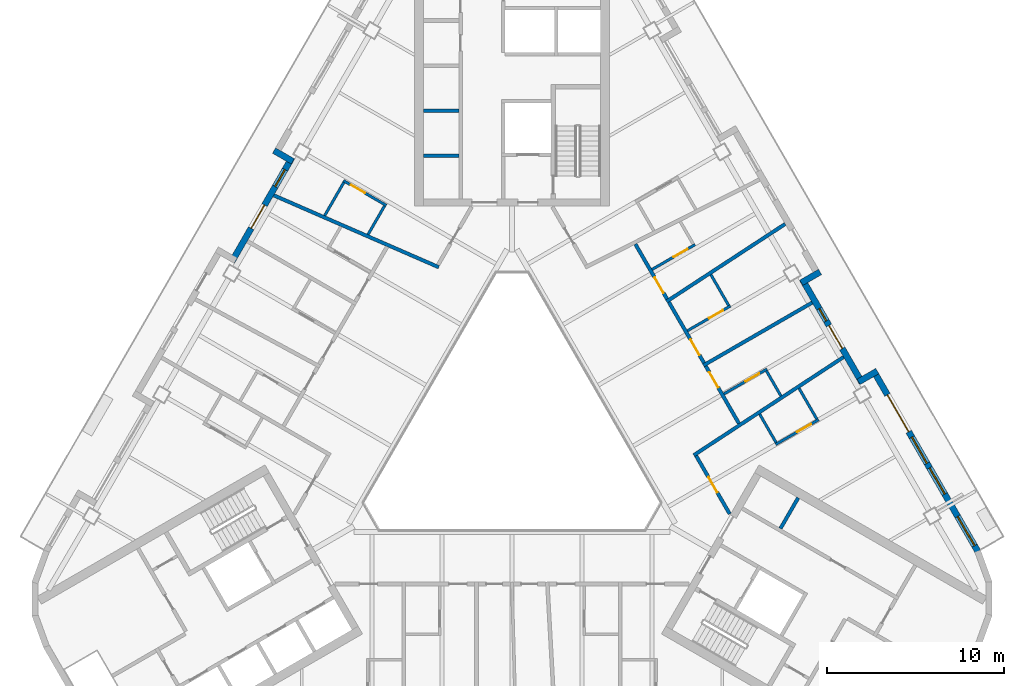
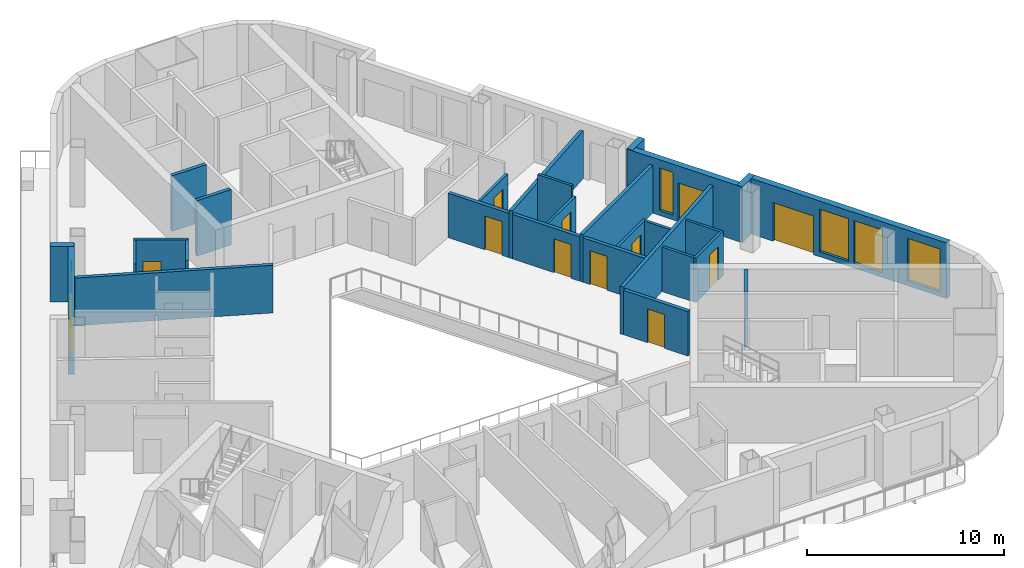
# One storey, part 6 of 14: 28 walls, 12 doors, 5 windows, 17 openings.
"""IFC4 building model written with IfcOpenShell, lengths in metres."""

from ifc_helpers import new_model, si_unit, direction, frame, frame_2d, origin, place, context, subcontext, project, spatial, rectangle, extrude, material, layer, layer_set, type_object, element, fill, save


model = new_model("IFC4")

# Units and contexts
model_context = context("Model", 3, precision=1e-05, world=origin(), true_north=direction((0.0, 1.0)))
body_context = subcontext(model_context, "Body", "Model", "MODEL_VIEW")
ifc_project = project(units=[si_unit("LENGTHUNIT", "METRE"), si_unit("AREAUNIT", "SQUARE_METRE"), si_unit("VOLUMEUNIT", "CUBIC_METRE"), si_unit("PLANEANGLEUNIT", "RADIAN"), si_unit("MASSUNIT", "GRAM", prefix="KILO")], contexts=[model_context])

# Site, building, storey
site_placement = place(None, origin())
site = spatial("IfcSite", under=ifc_project, at=site_placement, CompositionType="ELEMENT")
building_placement = place(site_placement, origin())
building = spatial("IfcBuilding", under=site, at=building_placement, Name="Apuvela Tower Hotel", CompositionType="ELEMENT")
storey_placement = place(building_placement, frame((0.0, 0.0, 228.0)))
storey = spatial("IfcBuildingStorey", under=building, at=storey_placement, Name="L56", CompositionType="ELEMENT", Elevation=228.0)

# Walls
ifc_material_1 = material(Name="Concrete C50/60", Category="concrete")
ifc_layer_1 = layer(ifc_material_1, 0.199951171875)
ifc_layer_set_1 = layer_set([ifc_layer_1], Name="COR-WALL-SHAFT-200")
wall_type_1 = type_object("IfcWallType", Name="COR-WALL-SHAFT-200", PredefinedType="SHEAR", material=ifc_layer_set_1)
for number, where, z_axis, x_axis, name in (
    (1, (-3.0, 15.739990234375, 0.0), (0.0, 0.0, 1.0), (-1.0, 0.0, 0.0), "Shaft wall N"),
    (2, (-3.0, 18.280029296875, 0.0), (0.0, 0.0, 1.0), (-1.0, 0.0, 0.0), "Shaft wall N"),
    (3, (15.131103515625, -5.27197265625, 0.0), (0.0, 0.0, 1.0), (0.499972520799, 0.866041268327, 0.0), "Shaft wall SE"),
):
    element("IfcWall", number, at=place(storey_placement, frame(where, z_axis=z_axis, x_axis=x_axis)), inside=storey, type_object=wall_type_1, Name=name, PredefinedType="SHEAR", context=body_context, shape_type="SweptSolid", body=[
        extrude(rectangle(XDim=2.0, YDim=0.199951171875, at=frame_2d((1.0, 0.0))), origin(), (0.0, 0.0, 1.0), 3.449951171875),
    ])
ifc_material_2 = material(Name="Concrete C40/50, dark pigmented precast panel", Category="concrete")
ifc_layer_2 = layer(ifc_material_2, 0.35009765625)
ifc_layer_set_2 = layer_set([ifc_layer_2], Name="ENV-WALL-350")
wall_type_2 = type_object("IfcWallType", Name="ENV-WALL-350", PredefinedType="SOLIDWALL", material=ifc_layer_set_2)
wall_1_placement = place(storey_placement, frame((-13.41259765625, 16.02880859375, 0.0), z_axis=(0.0, 0.0, 1.0), x_axis=(0.866005645448, -0.500034220881, 0.0)))
element("IfcWall", 4, at=wall_1_placement, inside=storey, type_object=wall_type_2, Name="External wall L56-02", PredefinedType="SOLIDWALL", context=body_context, shape_type="SweptSolid", body=[
    extrude(rectangle(XDim=1.22021484375, YDim=0.35009765625, at=frame_2d((0.610107421875, 0.0))), origin(), (0.0, 0.0, 1.0), 3.449951171875),
])

# Wall, openings, door, window
wall_2_placement = place(storey_placement, frame((-12.408935546875, 15.616943359375, 0.0), z_axis=(0.0, 0.0, 1.0), x_axis=(-0.500003597184, -0.866023326939, 0.0)))
wall_2 = element("IfcWall", 5, at=wall_2_placement, inside=storey, type_object=wall_type_2, Name="External wall L56-03", PredefinedType="SOLIDWALL", context=body_context, shape_type="SweptSolid", body=[
    extrude(rectangle(XDim=6.740234375, YDim=0.35009765625, at=frame_2d((3.3701171875, 0.0))), origin(), (0.0, 0.0, 1.0), 3.449951171875),
])
opening_1_placement = place(wall_2_placement, frame((0.77001953125, 0.0, 0.300048828125)))
opening_1 = element("IfcOpeningElement", 6, at=opening_1_placement, cuts=wall_2, Name="Opening WN11", PredefinedType="OPENING", context=body_context, shape_type="SweptSolid", body=[
    extrude(rectangle(XDim=1.10009765625, YDim=2.64990234375, at=frame_2d((0.550048828125, 1.324951171875))), frame((0.0, 0.18505859375, 0.0), z_axis=(0.0, -1.0, 0.0), x_axis=(1.0, 0.0, 0.0)), (0.0, 0.0, 1.0), 0.3701171875),
])
opening_2_placement = place(wall_2_placement, frame((3.07861328125, 0.0, 0.0)))
opening_2 = element("IfcOpeningElement", 7, at=opening_2_placement, cuts=wall_2, Name="Opening BD15", PredefinedType="OPENING", context=body_context, shape_type="SweptSolid", body=[
    extrude(rectangle(XDim=1.5, YDim=2.39990234375, at=frame_2d((0.75, 1.199951171875))), frame((0.0, 0.18505859375, 0.0), z_axis=(0.0, -1.0, 0.0), x_axis=(1.0, 0.0, 0.0)), (0.0, 0.0, 1.0), 0.3701171875),
])
ifc_material_3 = material(Name="Aluminium 6063-T6, dark bronze anodised frame with dark tinted laminated glass", Category="aluminium")
door_type_1 = type_object("IfcDoorType", Name="ENV-DOOR-BALCONY-1500x2400", OperationType="SLIDING_TO_LEFT", PredefinedType="DOOR", material=ifc_material_3)
door_1_placement = place(opening_2_placement, frame((1.5, 0.0, 0.0), z_axis=(0.0, 0.0, 1.0), x_axis=(-1.0, 0.0, 0.0)))
door_1 = element("IfcDoor", 8, at=door_1_placement, inside=storey, type_object=door_type_1, Name="Balcony door BD15", OperationType="SLIDING_TO_LEFT", OverallHeight=2.39990234375, OverallWidth=1.5, PredefinedType="DOOR", context=body_context, shape_type="SweptSolid", body=[
    extrude(rectangle(XDim=1.5, YDim=2.39990234375, at=frame_2d((0.75, 1.199951171875))), frame((0.0, 0.02490234375, 0.0), z_axis=(0.0, -1.0, 0.0), x_axis=(1.0, 0.0, 0.0)), (0.0, 0.0, 1.0), 0.050048828125),
])
fill(opening_2, door_1)
ifc_material_4 = material(Name="Glass, dark tinted laminated insulated glazing unit", Category="glass")
window_type_1 = type_object("IfcWindowType", Name="ENV-WIN-1100x2650", PartitioningType="SINGLE_PANEL", PredefinedType="WINDOW", material=ifc_material_4)
window_1_placement = place(opening_1_placement, origin())
window_1 = element("IfcWindow", 9, at=window_1_placement, inside=storey, type_object=window_type_1, Name="Window WN11", OverallHeight=2.64990234375, OverallWidth=1.10009765625, PartitioningType="SINGLE_PANEL", PredefinedType="WINDOW", context=body_context, shape_type="SweptSolid", body=[
    extrude(rectangle(XDim=1.10009765625, YDim=2.64990234375, at=frame_2d((0.550048828125, 1.324951171875))), frame((0.0, 0.030029296875, 0.0), z_axis=(0.0, -1.0, 0.0), x_axis=(1.0, 0.0, 0.0)), (0.0, 0.0, 1.0), 0.06005859375),
])
fill(opening_1, window_1)

# Wall, openings, door, windows
wall_3_placement = place(storey_placement, frame((26.256591796875, -6.5673828125, 0.0), z_axis=(0.0, 0.0, 1.0), x_axis=(-0.500023526245, 0.866011820475, 0.0)))
wall_3 = element("IfcWall", 10, at=wall_3_placement, inside=storey, type_object=wall_type_2, Name="External wall L56-33", PredefinedType="SOLIDWALL", context=body_context, shape_type="SweptSolid", body=[
    extrude(rectangle(XDim=11.81591796875, YDim=0.35009765625, at=frame_2d((5.907958984375, 0.0))), origin(), (0.0, 0.0, 1.0), 3.449951171875),
])
opening_3_placement = place(wall_3_placement, frame((0.380126953125, 0.0, 0.300048828125)))
opening_3 = element("IfcOpeningElement", 11, at=opening_3_placement, cuts=wall_3, Name="Opening WN19", PredefinedType="OPENING", context=body_context, shape_type="SweptSolid", body=[
    extrude(rectangle(XDim=1.89990234375, YDim=2.64990234375, at=frame_2d((0.949951171875, 1.324951171875))), frame((0.0, 0.18505859375, 0.0), z_axis=(0.0, -1.0, 0.0), x_axis=(1.0, 0.0, 0.0)), (0.0, 0.0, 1.0), 0.3701171875),
])
opening_4_placement = place(wall_3_placement, frame((7.791015625, 0.0, 0.0)))
opening_4 = element("IfcOpeningElement", 12, at=opening_4_placement, cuts=wall_3, Name="Opening BD24", PredefinedType="OPENING", context=body_context, shape_type="SweptSolid", body=[
    extrude(rectangle(XDim=2.39990234375, YDim=2.39990234375, at=frame_2d((1.199951171875, 1.199951171875))), frame((0.0, 0.18505859375, 0.0), z_axis=(0.0, -1.0, 0.0), x_axis=(1.0, 0.0, 0.0)), (0.0, 0.0, 1.0), 0.3701171875),
])
opening_5_placement = place(wall_3_placement, frame((3.74072265625, 0.0, 0.300048828125)))
opening_5 = element("IfcOpeningElement", 13, at=opening_5_placement, cuts=wall_3, Name="Opening WN17", PredefinedType="OPENING", context=body_context, shape_type="SweptSolid", body=[
    extrude(rectangle(XDim=1.699951171875, YDim=2.64990234375, at=frame_2d((0.85009765625, 1.324951171875))), frame((0.0, 0.18505859375, 0.0), z_axis=(0.0, -1.0, 0.0), x_axis=(1.0, 0.0, 0.0)), (0.0, 0.0, 1.0), 0.3701171875),
])
opening_6_placement = place(wall_3_placement, frame((5.74072265625, 0.0, 0.300048828125)))
opening_6 = element("IfcOpeningElement", 14, at=opening_6_placement, cuts=wall_3, Name="Opening WN17", PredefinedType="OPENING", context=body_context, shape_type="SweptSolid", body=[
    extrude(rectangle(XDim=1.699951171875, YDim=2.64990234375, at=frame_2d((0.85009765625, 1.324951171875))), frame((0.0, 0.18505859375, 0.0), z_axis=(0.0, -1.0, 0.0), x_axis=(1.0, 0.0, 0.0)), (0.0, 0.0, 1.0), 0.3701171875),
])
door_type_2 = type_object("IfcDoorType", Name="ENV-DOOR-BALCONY-2400x2400", OperationType="SLIDING_TO_LEFT", PredefinedType="DOOR", material=ifc_material_3)
door_2_placement = place(opening_4_placement, frame((2.39990234375, 0.0, 0.0), z_axis=(0.0, 0.0, 1.0), x_axis=(-1.0, 0.0, 0.0)))
door_2 = element("IfcDoor", 15, at=door_2_placement, inside=storey, type_object=door_type_2, Name="Balcony door BD24", OperationType="SLIDING_TO_LEFT", OverallHeight=2.39990234375, OverallWidth=2.39990234375, PredefinedType="DOOR", context=body_context, shape_type="SweptSolid", body=[
    extrude(rectangle(XDim=2.39990234375, YDim=2.39990234375, at=frame_2d((1.199951171875, 1.199951171875))), frame((0.0, 0.02490234375, 0.0), z_axis=(0.0, -1.0, 0.0), x_axis=(1.0, 0.0, 0.0)), (0.0, 0.0, 1.0), 0.050048828125),
])
fill(opening_4, door_2)
window_type_2 = type_object("IfcWindowType", Name="ENV-WIN-1700x2650", PartitioningType="SINGLE_PANEL", PredefinedType="WINDOW", material=ifc_material_4)
window_2_placement = place(opening_5_placement, origin())
window_2 = element("IfcWindow", 16, at=window_2_placement, inside=storey, type_object=window_type_2, Name="Window WN17", OverallHeight=2.64990234375, OverallWidth=1.699951171875, PartitioningType="SINGLE_PANEL", PredefinedType="WINDOW", context=body_context, shape_type="SweptSolid", body=[
    extrude(rectangle(XDim=1.699951171875, YDim=2.64990234375, at=frame_2d((0.85009765625, 1.324951171875))), frame((0.0, 0.030029296875, 0.0), z_axis=(0.0, -1.0, 0.0), x_axis=(1.0, 0.0, 0.0)), (0.0, 0.0, 1.0), 0.06005859375),
])
fill(opening_5, window_2)
window_3_placement = place(opening_6_placement, origin())
window_3 = element("IfcWindow", 17, at=window_3_placement, inside=storey, type_object=window_type_2, Name="Window WN17", OverallHeight=2.64990234375, OverallWidth=1.699951171875, PartitioningType="SINGLE_PANEL", PredefinedType="WINDOW", context=body_context, shape_type="SweptSolid", body=[
    extrude(rectangle(XDim=1.699951171875, YDim=2.64990234375, at=frame_2d((0.85009765625, 1.324951171875))), frame((0.0, 0.030029296875, 0.0), z_axis=(0.0, -1.0, 0.0), x_axis=(1.0, 0.0, 0.0)), (0.0, 0.0, 1.0), 0.06005859375),
])
fill(opening_6, window_3)
window_type_3 = type_object("IfcWindowType", Name="ENV-WIN-1900x2650", PartitioningType="SINGLE_PANEL", PredefinedType="WINDOW", material=ifc_material_4)
window_4_placement = place(opening_3_placement, origin())
window_4 = element("IfcWindow", 18, at=window_4_placement, inside=storey, type_object=window_type_3, Name="Window WN19", OverallHeight=2.64990234375, OverallWidth=1.89990234375, PartitioningType="SINGLE_PANEL", PredefinedType="WINDOW", context=body_context, shape_type="SweptSolid", body=[
    extrude(rectangle(XDim=1.89990234375, YDim=2.64990234375, at=frame_2d((0.949951171875, 1.324951171875))), frame((0.0, 0.030029296875, 0.0), z_axis=(0.0, -1.0, 0.0), x_axis=(1.0, 0.0, 0.0)), (0.0, 0.0, 1.0), 0.06005859375),
])
fill(opening_3, window_4)

# Wall
wall_4_placement = place(storey_placement, frame((20.587646484375, 3.601318359375, 0.0), z_axis=(0.0, 0.0, 1.0), x_axis=(-0.866005645448, -0.500034220881, 0.0)))
element("IfcWall", 19, at=wall_4_placement, inside=storey, type_object=wall_type_2, Name="External wall L56-34", PredefinedType="SOLIDWALL", context=body_context, shape_type="SweptSolid", body=[
    extrude(rectangle(XDim=1.22021484375, YDim=0.35009765625, at=frame_2d((0.610107421875, 0.0))), origin(), (0.0, 0.0, 1.0), 3.449951171875),
])

# Wall, openings, door, window
wall_5_placement = place(storey_placement, frame((19.72900390625, 2.93798828125, 0.0), z_axis=(0.0, 0.0, 1.0), x_axis=(-0.499976430342, 0.866039011305, 0.0)))
wall_5 = element("IfcWall", 20, at=wall_5_placement, inside=storey, type_object=wall_type_2, Name="External wall L56-35", PredefinedType="SOLIDWALL", context=body_context, shape_type="SweptSolid", body=[
    extrude(rectangle(XDim=6.739990234375, YDim=0.35009765625, at=frame_2d((3.3701171875, 0.0))), origin(), (0.0, 0.0, 1.0), 3.449951171875),
])
opening_7_placement = place(wall_5_placement, frame((2.228759765625, 0.0, 0.0)))
opening_7 = element("IfcOpeningElement", 21, at=opening_7_placement, cuts=wall_5, Name="Opening BD15", PredefinedType="OPENING", context=body_context, shape_type="SweptSolid", body=[
    extrude(rectangle(XDim=1.5, YDim=2.39990234375, at=frame_2d((0.75, 1.199951171875))), frame((0.0, 0.18505859375, 0.0), z_axis=(0.0, -1.0, 0.0), x_axis=(1.0, 0.0, 0.0)), (0.0, 0.0, 1.0), 0.3701171875),
])
opening_8_placement = place(wall_5_placement, frame((4.02880859375, 0.0, 0.300048828125)))
opening_8 = element("IfcOpeningElement", 22, at=opening_8_placement, cuts=wall_5, Name="Opening WN08", PredefinedType="OPENING", context=body_context, shape_type="SweptSolid", body=[
    extrude(rectangle(XDim=0.800048828125, YDim=2.64990234375, at=frame_2d((0.39990234375, 1.324951171875))), frame((0.0, 0.18505859375, 0.0), z_axis=(0.0, -1.0, 0.0), x_axis=(1.0, 0.0, 0.0)), (0.0, 0.0, 1.0), 0.3701171875),
])
door_3_placement = place(opening_7_placement, frame((1.5, 0.0, 0.0), z_axis=(0.0, 0.0, 1.0), x_axis=(-1.0, 0.0, 0.0)))
door_3 = element("IfcDoor", 23, at=door_3_placement, inside=storey, type_object=door_type_1, Name="Balcony door BD15", OperationType="SLIDING_TO_LEFT", OverallHeight=2.39990234375, OverallWidth=1.5, PredefinedType="DOOR", context=body_context, shape_type="SweptSolid", body=[
    extrude(rectangle(XDim=1.5, YDim=2.39990234375, at=frame_2d((0.75, 1.199951171875))), frame((0.0, 0.02490234375, 0.0), z_axis=(0.0, -1.0, 0.0), x_axis=(1.0, 0.0, 0.0)), (0.0, 0.0, 1.0), 0.050048828125),
])
fill(opening_7, door_3)
window_type_4 = type_object("IfcWindowType", Name="ENV-WIN-800x2650", PartitioningType="SINGLE_PANEL", PredefinedType="WINDOW", material=ifc_material_4)
window_5_placement = place(opening_8_placement, origin())
window_5 = element("IfcWindow", 24, at=window_5_placement, inside=storey, type_object=window_type_4, Name="Window WN08", OverallHeight=2.64990234375, OverallWidth=0.800048828125, PartitioningType="SINGLE_PANEL", PredefinedType="WINDOW", context=body_context, shape_type="SweptSolid", body=[
    extrude(rectangle(XDim=0.800048828125, YDim=2.64990234375, at=frame_2d((0.39990234375, 1.324951171875))), frame((0.0, 0.030029296875, 0.0), z_axis=(0.0, -1.0, 0.0), x_axis=(1.0, 0.0, 0.0)), (0.0, 0.0, 1.0), 0.06005859375),
])
fill(opening_8, window_5)

# Walls
wall_6_placement = place(storey_placement, frame((16.305908203125, 8.5771484375, 0.0), z_axis=(0.0, 0.0, 1.0), x_axis=(0.866092288191, 0.499884134912, 0.0)))
element("IfcWall", 25, at=wall_6_placement, inside=storey, type_object=wall_type_2, Name="External wall L56-36", PredefinedType="SOLIDWALL", context=body_context, shape_type="SweptSolid", body=[
    extrude(rectangle(XDim=1.219970703125, YDim=0.35009765625, at=frame_2d((0.60986328125, 0.0))), origin(), (0.0, 0.0, 1.0), 3.449951171875),
])
ifc_material_5 = material(Name="Gypsum board partition on twin steel stud", Category="steel")
ifc_layer_3 = layer(ifc_material_5, 0.199951171875)
ifc_layer_set_3 = layer_set([ifc_layer_3], Name="GST-PW1")
wall_type_3 = type_object("IfcWallType", Name="GST-PW1", PredefinedType="PARTITIONING", material=ifc_layer_set_3)
wall_7_placement = place(storey_placement, frame((18.68798828125, 4.391357421875, 0.0), z_axis=(0.0, 0.0, 1.0), x_axis=(-0.836395760685, -0.548126017909, 0.0)))
element("IfcWall", 26, at=wall_7_placement, inside=storey, type_object=wall_type_3, Name="L56 partition 05", PredefinedType="PARTITIONING", context=body_context, shape_type="SweptSolid", body=[
    extrude(rectangle(XDim=10.09619140625, YDim=0.199951171875, at=frame_2d((5.048095703125, 0.0))), origin(), (0.0, 0.0, 1.0), 2.9599609375),
])
wall_8_placement = place(storey_placement, frame((16.91748046875, 7.4580078125, 0.0), z_axis=(0.0, 0.0, 1.0), x_axis=(-0.866019052629, -0.500011000363, 0.0)))
element("IfcWall", 27, at=wall_8_placement, inside=storey, type_object=wall_type_3, Name="L56 partition 06", PredefinedType="PARTITIONING", context=body_context, shape_type="SweptSolid", body=[
    extrude(rectangle(XDim=7.079833984375, YDim=0.199951171875, at=frame_2d((3.5400390625, 0.0))), origin(), (0.0, 0.0, 1.0), 2.9599609375),
])
wall_9_placement = place(storey_placement, frame((15.39697265625, 11.8916015625, 0.0), z_axis=(0.0, 0.0, 1.0), x_axis=(-0.836905569615, -0.547347300667, 0.0)))
element("IfcWall", 28, at=wall_9_placement, inside=storey, type_object=wall_type_3, Name="L56 partition 07", PredefinedType="PARTITIONING", context=body_context, shape_type="SweptSolid", body=[
    extrude(rectangle(XDim=7.9921875, YDim=0.199951171875, at=frame_2d((3.99609375, 0.0))), origin(), (0.0, 0.0, 1.0), 2.9599609375),
])
wall_10_placement = place(storey_placement, frame((-13.426513671875, 13.50439453125, 0.0), z_axis=(0.0, 0.0, 1.0), x_axis=(0.916759471343, -0.399439697204, 0.0)))
element("IfcWall", 29, at=wall_10_placement, inside=storey, type_object=wall_type_3, Name="L56 partition 09", PredefinedType="PARTITIONING", context=body_context, shape_type="SweptSolid", body=[
    extrude(rectangle(XDim=10.144287109375, YDim=0.199951171875, at=frame_2d((5.072265625, 0.0))), origin(), (0.0, 0.0, 1.0), 2.9599609375),
])

# Wall, opening, door
ifc_material_6 = material(Name="Gypsum board corridor wall on twin steel stud, acoustic", Category="steel")
ifc_layer_4 = layer(ifc_material_6, 0.199951171875)
ifc_layer_set_4 = layer_set([ifc_layer_4], Name="GST-PW2")
wall_type_4 = type_object("IfcWallType", Name="GST-PW2", PredefinedType="PARTITIONING", material=ifc_layer_set_4)
wall_11_placement = place(storey_placement, frame((10.37744140625, -1.17431640625, 0.0), z_axis=(0.0, 0.0, 1.0), x_axis=(0.500033471514, -0.866006078134, 0.0)))
wall_11 = element("IfcWall", 30, at=wall_11_placement, inside=storey, type_object=wall_type_4, Name="L56 partition 30", PredefinedType="PARTITIONING", context=body_context, shape_type="SweptSolid", body=[
    extrude(rectangle(XDim=3.782470703125, YDim=0.199951171875, at=frame_2d((1.89111328125, 0.0))), origin(), (0.0, 0.0, 1.0), 2.760009765625),
])
opening_9_placement = place(wall_11_placement, frame((1.39111328125, 0.0, 0.0)))
opening_9 = element("IfcOpeningElement", 31, at=opening_9_placement, cuts=wall_11, Name="Opening GD22-12", PredefinedType="OPENING", context=body_context, shape_type="SweptSolid", body=[
    extrude(rectangle(XDim=1.0, YDim=2.10009765625, at=frame_2d((0.5, 1.050048828125))), frame((0.0, 0.10986328125, 0.0), z_axis=(0.0, -1.0, 0.0), x_axis=(1.0, 0.0, 0.0)), (0.0, 0.0, 1.0), 0.219970703125),
])
ifc_material_7 = material(Name="Timber door leaf in steel frame", Category="steel")
door_type_3 = type_object("IfcDoorType", Name="GST-D1", OperationType="NOTDEFINED", PredefinedType="DOOR", material=ifc_material_7)
door_4_placement = place(opening_9_placement, origin())
door_4 = element("IfcDoor", 32, at=door_4_placement, inside=storey, type_object=door_type_3, Name="Door L56-12", OperationType="SINGLE_SWING_LEFT", OverallHeight=2.10009765625, OverallWidth=1.0, PredefinedType="DOOR", context=body_context, shape_type="SweptSolid", body=[
    extrude(rectangle(XDim=1.0, YDim=2.10009765625, at=frame_2d((0.5, 1.050048828125))), frame((0.0, 0.02490234375, 0.0), z_axis=(0.0, -1.0, 0.0), x_axis=(1.0, 0.0, 0.0)), (0.0, 0.0, 1.0), 0.050048828125),
])
fill(opening_9, door_4)

wall_12_placement = place(storey_placement, frame((10.922607421875, 3.88134765625, 0.0), z_axis=(0.0, 0.0, 1.0), x_axis=(0.499997756806, -0.866026698889, 0.0)))
wall_12 = element("IfcWall", 33, at=wall_12_placement, inside=storey, type_object=wall_type_4, Name="L56 partition 34", PredefinedType="PARTITIONING", context=body_context, shape_type="SweptSolid", body=[
    extrude(rectangle(XDim=3.73583984375, YDim=0.199951171875, at=frame_2d((1.867919921875, 0.0))), origin(), (0.0, 0.0, 1.0), 2.760009765625),
])
opening_10_placement = place(wall_12_placement, frame((0.39990234375, 0.0, 0.0)))
opening_10 = element("IfcOpeningElement", 34, at=opening_10_placement, cuts=wall_12, Name="Opening GD22-14", PredefinedType="OPENING", context=body_context, shape_type="SweptSolid", body=[
    extrude(rectangle(XDim=1.0, YDim=2.10009765625, at=frame_2d((0.5, 1.050048828125))), frame((0.0, 0.10986328125, 0.0), z_axis=(0.0, -1.0, 0.0), x_axis=(1.0, 0.0, 0.0)), (0.0, 0.0, 1.0), 0.219970703125),
])
door_5_placement = place(opening_10_placement, origin())
door_5 = element("IfcDoor", 35, at=door_5_placement, inside=storey, type_object=door_type_3, Name="Door L56-14", OperationType="SINGLE_SWING_LEFT", OverallHeight=2.10009765625, OverallWidth=1.0, PredefinedType="DOOR", context=body_context, shape_type="SweptSolid", body=[
    extrude(rectangle(XDim=1.0, YDim=2.10009765625, at=frame_2d((0.5, 1.050048828125))), frame((0.0, 0.02490234375, 0.0), z_axis=(0.0, -1.0, 0.0), x_axis=(1.0, 0.0, 0.0)), (0.0, 0.0, 1.0), 0.050048828125),
])
fill(opening_10, door_5)

wall_13_placement = place(storey_placement, frame((8.842041015625, 7.485107421875, 0.0), z_axis=(0.0, 0.0, 1.0), x_axis=(0.500030109098, -0.866008019591, 0.0)))
wall_13 = element("IfcWall", 36, at=wall_13_placement, inside=storey, type_object=wall_type_4, Name="L56 partition 37", PredefinedType="PARTITIONING", context=body_context, shape_type="SweptSolid", body=[
    extrude(rectangle(XDim=3.961181640625, YDim=0.199951171875, at=frame_2d((1.98046875, 0.0))), origin(), (0.0, 0.0, 1.0), 2.760009765625),
])
opening_11_placement = place(wall_13_placement, frame((2.4443359375, 0.0, 0.0)))
opening_11 = element("IfcOpeningElement", 37, at=opening_11_placement, cuts=wall_13, Name="Opening GD22-16", PredefinedType="OPENING", context=body_context, shape_type="SweptSolid", body=[
    extrude(rectangle(XDim=1.0, YDim=2.10009765625, at=frame_2d((0.5, 1.050048828125))), frame((0.0, 0.10986328125, 0.0), z_axis=(0.0, -1.0, 0.0), x_axis=(1.0, 0.0, 0.0)), (0.0, 0.0, 1.0), 0.219970703125),
])
door_6_placement = place(opening_11_placement, origin())
door_6 = element("IfcDoor", 38, at=door_6_placement, inside=storey, type_object=door_type_3, Name="Door L56-16", OperationType="SINGLE_SWING_RIGHT", OverallHeight=2.10009765625, OverallWidth=1.0, PredefinedType="DOOR", context=body_context, shape_type="SweptSolid", body=[
    extrude(rectangle(XDim=1.0, YDim=2.10009765625, at=frame_2d((0.5, 1.050048828125))), frame((0.0, 0.02490234375, 0.0), z_axis=(0.0, -1.0, 0.0), x_axis=(1.0, 0.0, 0.0)), (0.0, 0.0, 1.0), 0.050048828125),
])
fill(opening_11, door_6)

wall_14_placement = place(storey_placement, frame((6.954833984375, 10.75390625, 0.0), z_axis=(0.0, 0.0, 1.0), x_axis=(0.500018099276, -0.86601495391, 0.0)))
wall_14 = element("IfcWall", 39, at=wall_14_placement, inside=storey, type_object=wall_type_4, Name="L56 partition 40", PredefinedType="PARTITIONING", context=body_context, shape_type="SweptSolid", body=[
    extrude(rectangle(XDim=3.573974609375, YDim=0.199951171875, at=frame_2d((1.787109375, 0.0))), origin(), (0.0, 0.0, 1.0), 2.760009765625),
])
opening_12_placement = place(wall_14_placement, frame((2.17431640625, 0.0, 0.0)))
opening_12 = element("IfcOpeningElement", 40, at=opening_12_placement, cuts=wall_14, Name="Opening GD22-18", PredefinedType="OPENING", context=body_context, shape_type="SweptSolid", body=[
    extrude(rectangle(XDim=1.0, YDim=2.10009765625, at=frame_2d((0.5, 1.050048828125))), frame((0.0, 0.10986328125, 0.0), z_axis=(0.0, -1.0, 0.0), x_axis=(1.0, 0.0, 0.0)), (0.0, 0.0, 1.0), 0.219970703125),
])
door_7_placement = place(opening_12_placement, origin())
door_7 = element("IfcDoor", 41, at=door_7_placement, inside=storey, type_object=door_type_3, Name="Door L56-18", OperationType="SINGLE_SWING_RIGHT", OverallHeight=2.10009765625, OverallWidth=1.0, PredefinedType="DOOR", context=body_context, shape_type="SweptSolid", body=[
    extrude(rectangle(XDim=1.0, YDim=2.10009765625, at=frame_2d((0.5, 1.050048828125))), frame((0.0, 0.02490234375, 0.0), z_axis=(0.0, -1.0, 0.0), x_axis=(1.0, 0.0, 0.0)), (0.0, 0.0, 1.0), 0.050048828125),
])
fill(opening_12, door_7)

ifc_material_8 = material(Name="Moisture-resistant gypsum board wet wall on steel stud", Category="steel")
ifc_layer_5 = layer(ifc_material_8, 0.14990234375)
ifc_layer_set_5 = layer_set([ifc_layer_5], Name="GST-PW3")
wall_type_5 = type_object("IfcWallType", Name="GST-PW3", PredefinedType="PARTITIONING", material=ifc_layer_set_5)
wall_15_placement = place(storey_placement, frame((14.8583984375, -0.53564453125, 0.0), z_axis=(0.0, 0.0, 1.0), x_axis=(0.866056369097, 0.49994636267, 0.0)))
wall_15 = element("IfcWall", 42, at=wall_15_placement, inside=storey, type_object=wall_type_5, Name="L56 partition 31", PredefinedType="PARTITIONING", context=body_context, shape_type="SweptSolid", body=[
    extrude(rectangle(XDim=2.800048828125, YDim=0.14990234375, at=frame_2d((1.39990234375, 0.0))), origin(), (0.0, 0.0, 1.0), 2.760009765625),
])
opening_13_placement = place(wall_15_placement, frame((1.39990234375, 0.0, 0.0)))
opening_13 = element("IfcOpeningElement", 43, at=opening_13_placement, cuts=wall_15, Name="Opening GD22-11", PredefinedType="OPENING", context=body_context, shape_type="SweptSolid", body=[
    extrude(rectangle(XDim=0.89990234375, YDim=2.10009765625, at=frame_2d((0.449951171875, 1.050048828125))), frame((0.0, 0.0849609375, 0.0), z_axis=(0.0, -1.0, 0.0), x_axis=(1.0, 0.0, 0.0)), (0.0, 0.0, 1.0), 0.169921875),
])
door_type_4 = type_object("IfcDoorType", Name="GST-D2", OperationType="NOTDEFINED", PredefinedType="DOOR", material=ifc_material_7)
door_8_placement = place(opening_13_placement, origin())
door_8 = element("IfcDoor", 44, at=door_8_placement, inside=storey, type_object=door_type_4, Name="Door L56-11", OperationType="SINGLE_SWING_RIGHT", OverallHeight=2.10009765625, OverallWidth=0.89990234375, PredefinedType="DOOR", context=body_context, shape_type="SweptSolid", body=[
    extrude(rectangle(XDim=0.89990234375, YDim=2.10009765625, at=frame_2d((0.449951171875, 1.050048828125))), frame((0.0, 0.02490234375, 0.0), z_axis=(0.0, -1.0, 0.0), x_axis=(1.0, 0.0, 0.0)), (0.0, 0.0, 1.0), 0.050048828125),
])
fill(opening_13, door_8)

# Walls
wall_16_placement = place(storey_placement, frame((17.180908203125, 0.891845703125, 0.0), z_axis=(0.0, 0.0, 1.0), x_axis=(-0.500056363668, 0.86599285976, 0.0)))
element("IfcWall", 45, at=wall_16_placement, inside=storey, type_object=wall_type_5, Name="L56 partition 32", PredefinedType="PARTITIONING", context=body_context, shape_type="SweptSolid", body=[
    extrude(rectangle(XDim=2.004150390625, YDim=0.14990234375, at=frame_2d((1.001953125, 0.0))), origin(), (0.0, 0.0, 1.0), 2.760009765625),
])
wall_17_placement = place(storey_placement, frame((14.885986328125, -0.43310546875, 0.0), z_axis=(0.0, 0.0, 1.0), x_axis=(-0.500075767815, 0.865981654797, 0.0)))
element("IfcWall", 46, at=wall_17_placement, inside=storey, type_object=wall_type_5, Name="L56 partition 33", PredefinedType="PARTITIONING", context=body_context, shape_type="SweptSolid", body=[
    extrude(rectangle(XDim=1.854248046875, YDim=0.14990234375, at=frame_2d((0.92724609375, 0.0))), origin(), (0.0, 0.0, 1.0), 2.760009765625),
])

# Wall, opening, door
wall_18_placement = place(storey_placement, frame((14.368896484375, 3.71240234375, 0.0), z_axis=(0.0, 0.0, 1.0), x_axis=(-0.866034573852, -0.49998411664, 0.0)))
wall_18 = element("IfcWall", 47, at=wall_18_placement, inside=storey, type_object=wall_type_5, Name="L56 partition 35", PredefinedType="PARTITIONING", context=body_context, shape_type="SweptSolid", body=[
    extrude(rectangle(XDim=2.7998046875, YDim=0.14990234375, at=frame_2d((1.39990234375, 0.0))), origin(), (0.0, 0.0, 1.0), 2.760009765625),
])
opening_14_placement = place(wall_18_placement, frame((0.5, 0.0, 0.0)))
opening_14 = element("IfcOpeningElement", 48, at=opening_14_placement, cuts=wall_18, Name="Opening GD22-13", PredefinedType="OPENING", context=body_context, shape_type="SweptSolid", body=[
    extrude(rectangle(XDim=0.89990234375, YDim=2.10009765625, at=frame_2d((0.449951171875, 1.050048828125))), frame((0.0, 0.0849609375, 0.0), z_axis=(0.0, -1.0, 0.0), x_axis=(1.0, 0.0, 0.0)), (0.0, 0.0, 1.0), 0.169921875),
])
door_9_placement = place(opening_14_placement, origin())
door_9 = element("IfcDoor", 49, at=door_9_placement, inside=storey, type_object=door_type_4, Name="Door L56-13", OperationType="SINGLE_SWING_LEFT", OverallHeight=2.10009765625, OverallWidth=0.89990234375, PredefinedType="DOOR", context=body_context, shape_type="SweptSolid", body=[
    extrude(rectangle(XDim=0.89990234375, YDim=2.10009765625, at=frame_2d((0.449951171875, 1.050048828125))), frame((0.0, 0.02490234375, 0.0), z_axis=(0.0, -1.0, 0.0), x_axis=(1.0, 0.0, 0.0)), (0.0, 0.0, 1.0), 0.050048828125),
])
fill(opening_14, door_9)

# Wall
wall_19_placement = place(storey_placement, frame((15.1572265625, 2.197021484375, 0.0), z_axis=(0.0, 0.0, 1.0), x_axis=(-0.500033287521, 0.866006184372, 0.0)))
element("IfcWall", 50, at=wall_19_placement, inside=storey, type_object=wall_type_5, Name="L56 partition 36", PredefinedType="PARTITIONING", context=body_context, shape_type="SweptSolid", body=[
    extrude(rectangle(XDim=1.6318359375, YDim=0.14990234375, at=frame_2d((0.81591796875, 0.0))), origin(), (0.0, 0.0, 1.0), 2.760009765625),
])

# Wall, opening, door
wall_20_placement = place(storey_placement, frame((9.888427734375, 5.872802734375, 0.0), z_axis=(0.0, 0.0, 1.0), x_axis=(0.866034573852, 0.49998411664, 0.0)))
wall_20 = element("IfcWall", 51, at=wall_20_placement, inside=storey, type_object=wall_type_5, Name="L56 partition 38", PredefinedType="PARTITIONING", context=body_context, shape_type="SweptSolid", body=[
    extrude(rectangle(XDim=2.7998046875, YDim=0.14990234375, at=frame_2d((1.39990234375, 0.0))), origin(), (0.0, 0.0, 1.0), 2.760009765625),
])
opening_15_placement = place(wall_20_placement, frame((1.39990234375, 0.0, 0.0)))
opening_15 = element("IfcOpeningElement", 52, at=opening_15_placement, cuts=wall_20, Name="Opening GD22-15", PredefinedType="OPENING", context=body_context, shape_type="SweptSolid", body=[
    extrude(rectangle(XDim=0.89990234375, YDim=2.10009765625, at=frame_2d((0.449951171875, 1.050048828125))), frame((0.0, 0.0849609375, 0.0), z_axis=(0.0, -1.0, 0.0), x_axis=(1.0, 0.0, 0.0)), (0.0, 0.0, 1.0), 0.169921875),
])
door_10_placement = place(opening_15_placement, origin())
door_10 = element("IfcDoor", 53, at=door_10_placement, inside=storey, type_object=door_type_4, Name="Door L56-15", OperationType="SINGLE_SWING_RIGHT", OverallHeight=2.10009765625, OverallWidth=0.89990234375, PredefinedType="DOOR", context=body_context, shape_type="SweptSolid", body=[
    extrude(rectangle(XDim=0.89990234375, YDim=2.10009765625, at=frame_2d((0.449951171875, 1.050048828125))), frame((0.0, 0.02490234375, 0.0), z_axis=(0.0, -1.0, 0.0), x_axis=(1.0, 0.0, 0.0)), (0.0, 0.0, 1.0), 0.050048828125),
])
fill(opening_15, door_10)

# Wall
wall_21_placement = place(storey_placement, frame((12.210693359375, 7.30029296875, 0.0), z_axis=(0.0, 0.0, 1.0), x_axis=(-0.499982900776, 0.866035275801, 0.0)))
element("IfcWall", 54, at=wall_21_placement, inside=storey, type_object=wall_type_5, Name="L56 partition 39", PredefinedType="PARTITIONING", context=body_context, shape_type="SweptSolid", body=[
    extrude(rectangle(XDim=2.00146484375, YDim=0.14990234375, at=frame_2d((1.000732421875, 0.0))), origin(), (0.0, 0.0, 1.0), 3.449951171875),
])

# Wall, opening, door
wall_22_placement = place(storey_placement, frame((7.893798828125, 9.327392578125, 0.0), z_axis=(0.0, 0.0, 1.0), x_axis=(0.865996816683, 0.500049511043, 0.0)))
wall_22 = element("IfcWall", 55, at=wall_22_placement, inside=storey, type_object=wall_type_5, Name="L56 partition 41", PredefinedType="PARTITIONING", context=body_context, shape_type="SweptSolid", body=[
    extrude(rectangle(XDim=2.800048828125, YDim=0.14990234375, at=frame_2d((1.39990234375, 0.0))), origin(), (0.0, 0.0, 1.0), 2.760009765625),
])
opening_16_placement = place(wall_22_placement, frame((1.39990234375, 0.0, 0.0)))
opening_16 = element("IfcOpeningElement", 56, at=opening_16_placement, cuts=wall_22, Name="Opening GD22-17", PredefinedType="OPENING", context=body_context, shape_type="SweptSolid", body=[
    extrude(rectangle(XDim=0.89990234375, YDim=2.10009765625, at=frame_2d((0.449951171875, 1.050048828125))), frame((0.0, 0.0849609375, 0.0), z_axis=(0.0, -1.0, 0.0), x_axis=(1.0, 0.0, 0.0)), (0.0, 0.0, 1.0), 0.169921875),
])
door_11_placement = place(opening_16_placement, origin())
door_11 = element("IfcDoor", 57, at=door_11_placement, inside=storey, type_object=door_type_4, Name="Door L56-17", OperationType="SINGLE_SWING_RIGHT", OverallHeight=2.10009765625, OverallWidth=0.89990234375, PredefinedType="DOOR", context=body_context, shape_type="SweptSolid", body=[
    extrude(rectangle(XDim=0.89990234375, YDim=2.10009765625, at=frame_2d((0.449951171875, 1.050048828125))), frame((0.0, 0.02490234375, 0.0), z_axis=(0.0, -1.0, 0.0), x_axis=(1.0, 0.0, 0.0)), (0.0, 0.0, 1.0), 0.050048828125),
])
fill(opening_16, door_11)

wall_23_placement = place(storey_placement, frame((-7.0810546875, 12.935302734375, 0.0), z_axis=(0.0, 0.0, 1.0), x_axis=(-0.866056369097, 0.49994636267, 0.0)))
wall_23 = element("IfcWall", 58, at=wall_23_placement, inside=storey, type_object=wall_type_5, Name="L56 partition 48", PredefinedType="PARTITIONING", context=body_context, shape_type="SweptSolid", body=[
    extrude(rectangle(XDim=2.800048828125, YDim=0.14990234375, at=frame_2d((1.39990234375, 0.0))), origin(), (0.0, 0.0, 1.0), 3.449951171875),
])
opening_17_placement = place(wall_23_placement, frame((1.39990234375, 0.0, 0.0)))
opening_17 = element("IfcOpeningElement", 59, at=opening_17_placement, cuts=wall_23, Name="Opening GD22-21", PredefinedType="OPENING", context=body_context, shape_type="SweptSolid", body=[
    extrude(rectangle(XDim=0.89990234375, YDim=2.10009765625, at=frame_2d((0.449951171875, 1.050048828125))), frame((0.0, 0.0849609375, 0.0), z_axis=(0.0, -1.0, 0.0), x_axis=(1.0, 0.0, 0.0)), (0.0, 0.0, 1.0), 0.169921875),
])
door_12_placement = place(opening_17_placement, origin())
door_12 = element("IfcDoor", 60, at=door_12_placement, inside=storey, type_object=door_type_4, Name="Door L56-21", OperationType="SINGLE_SWING_RIGHT", OverallHeight=2.10009765625, OverallWidth=0.89990234375, PredefinedType="DOOR", context=body_context, shape_type="SweptSolid", body=[
    extrude(rectangle(XDim=0.89990234375, YDim=2.10009765625, at=frame_2d((0.449951171875, 1.050048828125))), frame((0.0, 0.02490234375, 0.0), z_axis=(0.0, -1.0, 0.0), x_axis=(1.0, 0.0, 0.0)), (0.0, 0.0, 1.0), 0.050048828125),
])
fill(opening_17, door_12)

# Walls
wall_24_placement = place(storey_placement, frame((-9.478515625, 14.232666015625, 0.0), z_axis=(0.0, 0.0, 1.0), x_axis=(-0.499983569942, -0.866034889475, 0.0)))
element("IfcWall", 61, at=wall_24_placement, inside=storey, type_object=wall_type_5, Name="L56 partition 49", PredefinedType="PARTITIONING", context=body_context, shape_type="SweptSolid", body=[
    extrude(rectangle(XDim=2.158203125, YDim=0.14990234375, at=frame_2d((1.0791015625, 0.0))), origin(), (0.0, 0.0, 1.0), 3.449951171875),
])
wall_25_placement = place(storey_placement, frame((-7.18359375, 12.90771484375, 0.0), z_axis=(0.0, 0.0, 1.0), x_axis=(-0.49995366312, -0.866052154742, 0.0)))
element("IfcWall", 62, at=wall_25_placement, inside=storey, type_object=wall_type_5, Name="L56 partition 50", PredefinedType="PARTITIONING", context=body_context, shape_type="SweptSolid", body=[
    extrude(rectangle(XDim=1.858642578125, YDim=0.14990234375, at=frame_2d((0.92919921875, 0.0))), origin(), (0.0, 0.0, 1.0), 3.449951171875),
])

save(model, "model.ifc")
